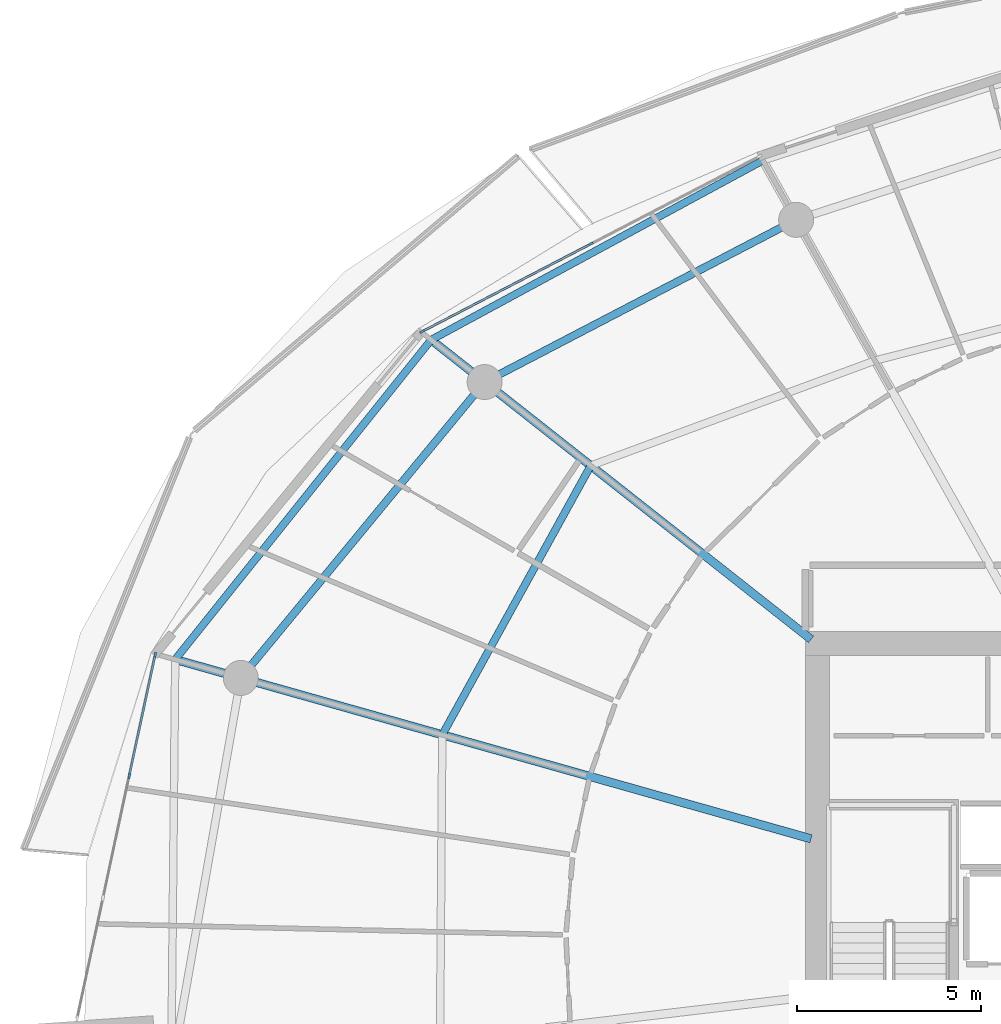
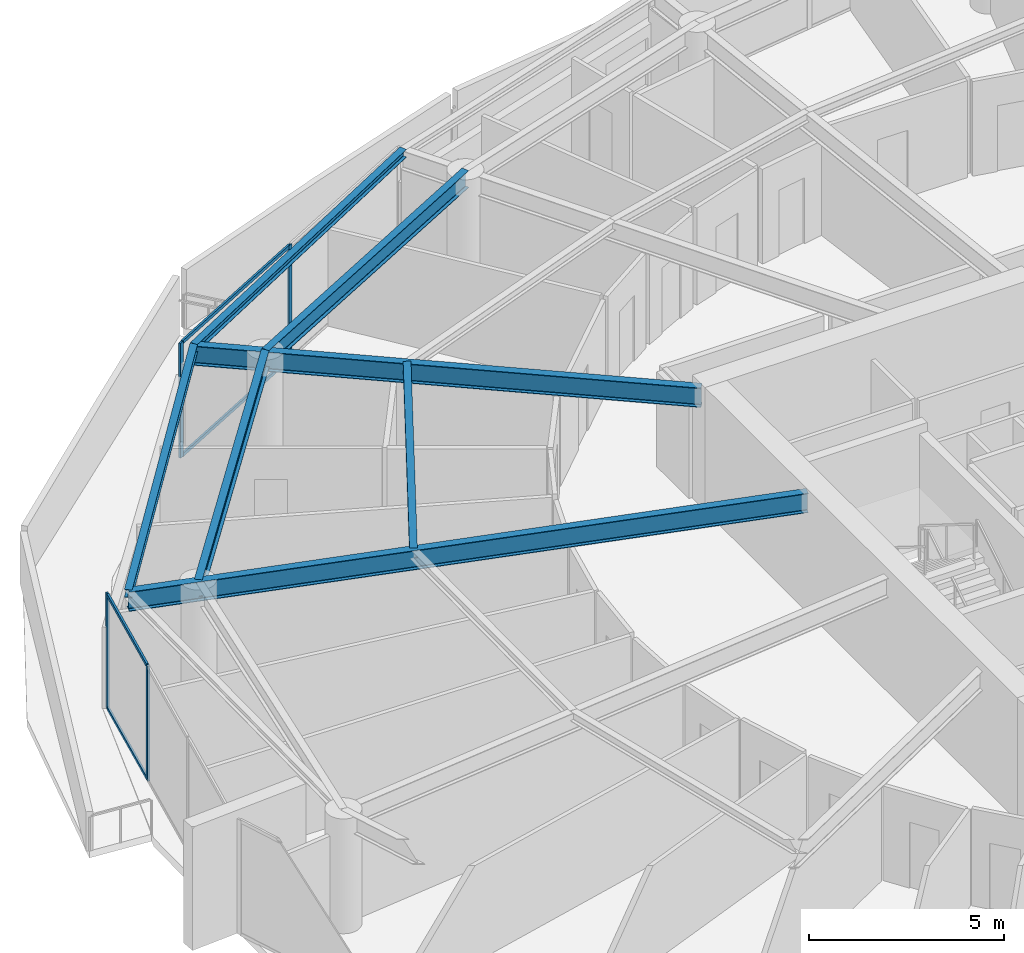
# One storey, part 13 of 31: 8 members, 7 beams, 2 elements without a shape of their own.
"""IFC4 building model written with IfcOpenShell, lengths in metres."""

from ifc_helpers import new_model, si_unit, direction, frame, origin, origin_2d, place, context, subcontext, project, spatial, rectangle, i_section, extrude, material, layer, layer_set, material_profile, profile_set, type_object, element, aggregate, save


model = new_model("IFC4")

# Units and contexts
model_context = context("Model", 3, precision=1e-05, world=origin(), true_north=direction((0.0, 1.0)))
body_context = subcontext(model_context, "Body", "Model", "MODEL_VIEW")
ifc_project = project(units=[si_unit("LENGTHUNIT", "METRE"), si_unit("AREAUNIT", "SQUARE_METRE"), si_unit("VOLUMEUNIT", "CUBIC_METRE"), si_unit("PLANEANGLEUNIT", "RADIAN"), si_unit("MASSUNIT", "GRAM", prefix="KILO")], contexts=[model_context])

# Site, building, storey
site_placement = place(None, origin())
site = spatial("IfcSite", under=ifc_project, at=site_placement, CompositionType="ELEMENT")
building_placement = place(site_placement, origin())
building = spatial("IfcBuilding", under=site, at=building_placement, Name="Kazma Halo Residences", CompositionType="ELEMENT")
storey_placement = place(building_placement, frame((0.0, 0.0, 271.35009765625)))
storey = spatial("IfcBuildingStorey", under=building, at=storey_placement, Name="L68", CompositionType="ELEMENT", Elevation=271.35009765625)

# Beams
ifc_material_1 = material(Name="Steel S355", Category="steel")
ifc_material_profile_1 = material_profile(ifc_material_1, i_section(OverallWidth=0.201904296875, OverallDepth=0.2470703125, WebThickness=0.00732421875, FlangeThickness=0.010986328125, FilletRadius=0.011962890625, at=origin_2d()), Name="W250x49.1")
ifc_profile_set_1 = profile_set([ifc_material_profile_1], Name="Steel S355")
beam_type_1 = type_object("IfcBeamType", Name="BM-BAL-CANT", PredefinedType="BEAM", material=ifc_profile_set_1)
beam_1_placement = place(storey_placement, frame((35.990478515625, 63.444580078125, 3.46630859375), z_axis=(-0.879517282036, -0.475866946321, 0.0), x_axis=(0.475866946321, -0.879517282036, 0.0)))
element("IfcBeam", 1, at=beam_1_placement, inside=storey, type_object=beam_type_1, Name="L68 wave-balcony tie beam 05", PredefinedType="BEAM", context=body_context, shape_type="SweptSolid", body=[
    extrude(i_section(OverallWidth=0.201904296875, OverallDepth=0.2470703125, WebThickness=0.00732421875, FlangeThickness=0.010986328125, FilletRadius=0.011962890625, at=origin_2d()), origin(), (0.0, 0.0, 1.0), 10.243408203125),
])
beam_2_placement = place(storey_placement, frame((26.981201171875, 58.570068359375, 3.46630859375), z_axis=(-0.625117912406, -0.780530329705, 0.0), x_axis=(0.780530329705, -0.625117912406, 0.0)))
element("IfcBeam", 2, at=beam_2_placement, inside=storey, type_object=beam_type_1, Name="L68 wave-balcony tie beam 06", PredefinedType="BEAM", context=body_context, shape_type="SweptSolid", body=[
    extrude(i_section(OverallWidth=0.201904296875, OverallDepth=0.2470703125, WebThickness=0.00732421875, FlangeThickness=0.010986328125, FilletRadius=0.011962890625, at=origin_2d()), origin(), (0.0, 0.0, 1.0), 11.1220703125),
])
ifc_material_profile_2 = material_profile(ifc_material_1, i_section(OverallWidth=0.22802734375, OverallDepth=0.60791015625, WebThickness=0.01123046875, FlangeThickness=0.017333984375, FilletRadius=0.01806640625, at=origin_2d()), Name="W610x113")
ifc_profile_set_2 = profile_set([ifc_material_profile_2], Name="Steel S355")
beam_type_2 = type_object("IfcBeamType", Name="BM-RAD-W610", PredefinedType="BEAM", material=ifc_profile_set_2)
beam_3_placement = place(storey_placement, frame((37.300048828125, 50.435302734375, 3.285888671875), z_axis=(-0.785315374811, 0.61909592317, 0.0), x_axis=(-0.61909592317, -0.785315374811, 0.0)))
element("IfcBeam", 3, at=beam_3_placement, inside=storey, type_object=beam_type_2, Name="L68 radial floor beam 06", PredefinedType="BEAM", context=body_context, shape_type="SweptSolid", body=[
    extrude(i_section(OverallWidth=0.22802734375, OverallDepth=0.60791015625, WebThickness=0.01123046875, FlangeThickness=0.017333984375, FilletRadius=0.01806640625, at=origin_2d()), origin(), (0.0, 0.0, 1.0), 13.1396484375),
])
beam_4_placement = place(storey_placement, frame((37.300048828125, 45.017578125, 3.285888671875), z_axis=(-0.962451225349, 0.271454671766, 0.0), x_axis=(-0.271454671766, -0.962451225349, 0.0)))
element("IfcBeam", 4, at=beam_4_placement, inside=storey, type_object=beam_type_2, Name="L68 radial floor beam 07", PredefinedType="BEAM", context=body_context, shape_type="SweptSolid", body=[
    extrude(i_section(OverallWidth=0.22802734375, OverallDepth=0.60791015625, WebThickness=0.01123046875, FlangeThickness=0.017333984375, FilletRadius=0.01806640625, at=origin_2d()), origin(), (0.0, 0.0, 1.0), 17.9453125),
])
ifc_material_profile_3 = material_profile(ifc_material_1, i_section(OverallWidth=0.202880859375, OverallDepth=0.302978515625, WebThickness=0.007568359375, FlangeThickness=0.01318359375, FilletRadius=0.013916015625, at=origin_2d()), Name="W310x60")
ifc_profile_set_3 = profile_set([ifc_material_profile_3], Name="Steel S355")
beam_type_3 = type_object("IfcBeamType", Name="BM-SEC-W310A", PredefinedType="JOIST", material=ifc_profile_set_3)
beam_5_placement = place(storey_placement, frame((31.31494140625, 55.1533203125, 3.4384765625), z_axis=(-0.483003900912, -0.875618199733, 0.0), x_axis=(0.875618199733, -0.483003900912, 0.0)))
element("IfcBeam", 5, at=beam_5_placement, inside=storey, type_object=beam_type_3, Name="L68 circumferential floor joist 06", PredefinedType="JOIST", context=body_context, shape_type="SweptSolid", body=[
    extrude(i_section(OverallWidth=0.202880859375, OverallDepth=0.302978515625, WebThickness=0.007568359375, FlangeThickness=0.01318359375, FilletRadius=0.013916015625, at=origin_2d()), origin(), (0.0, 0.0, 1.0), 8.3486328125),
])
ifc_material_profile_4 = material_profile(ifc_material_1, i_section(OverallWidth=0.208984375, OverallDepth=0.532958984375, WebThickness=0.01025390625, FlangeThickness=0.015625, FilletRadius=0.01611328125, at=origin_2d()), Name="W530x92")
ifc_profile_set_4 = profile_set([ifc_material_profile_4], Name="Steel S355")
beam_type_4 = type_object("IfcBeamType", Name="BM-SPN-W530", PredefinedType="BEAM", material=ifc_profile_set_4)
beam_6_placement = place(storey_placement, frame((36.89453125, 61.830322265625, 3.323486328125), z_axis=(-0.886961047115, -0.461844238788, 0.0), x_axis=(0.461844238788, -0.886961047115, 0.0)))
element("IfcBeam", 6, at=beam_6_placement, inside=storey, type_object=beam_type_4, Name="L68 perimeter ring beam 05", PredefinedType="BEAM", context=body_context, shape_type="SweptSolid", body=[
    extrude(i_section(OverallWidth=0.208984375, OverallDepth=0.532958984375, WebThickness=0.01025390625, FlangeThickness=0.015625, FilletRadius=0.01611328125, at=origin_2d()), origin(), (0.0, 0.0, 1.0), 9.5390625),
])
beam_7_placement = place(storey_placement, frame((28.433837890625, 57.4248046875, 3.323486328125), z_axis=(-0.636002144225, -0.771687289348, 0.0), x_axis=(0.771687289348, -0.636002144225, 0.0)))
element("IfcBeam", 7, at=beam_7_placement, inside=storey, type_object=beam_type_4, Name="L68 perimeter ring beam 06", PredefinedType="BEAM", context=body_context, shape_type="SweptSolid", body=[
    extrude(i_section(OverallWidth=0.208984375, OverallDepth=0.532958984375, WebThickness=0.01025390625, FlangeThickness=0.015625, FilletRadius=0.01611328125, at=origin_2d()), origin(), (0.0, 0.0, 1.0), 10.416259765625),
])

# Curtain wall, members
ifc_material_2 = material(Name="Aluminium AW-6063 T6 and Triple-Silver Low-E Glass", Category="aluminium")
ifc_layer = layer(ifc_material_2, 0.139892578125)
ifc_layer_set = layer_set([ifc_layer], Name="Aluminium AW-6063 T6 and Triple-Silver Low-E Glass")
curtain_wall_type = type_object("IfcCurtainWallType", Name="CW-SYS-5", PredefinedType="NOTDEFINED", material=ifc_layer_set)
curtain_wall_1_placement = place(storey_placement, origin())
curtain_wall_1 = element("IfcCurtainWall", 8, at=curtain_wall_1_placement, inside=storey, type_object=curtain_wall_type, Name="L68 unitised curtain wall B05", PredefinedType="NOTDEFINED")
ifc_material_3 = material(Name="Aluminium AW-6063 T6", Category="aluminium")
ifc_material_profile_5 = material_profile(ifc_material_3, rectangle(XDim=0.06005859375, YDim=0.139892578125, at=origin_2d()), Name="CWM-60x140")
ifc_profile_set_5 = profile_set([ifc_material_profile_5], Name="Aluminium AW-6063 T6")
member_type_1 = type_object("IfcMemberType", Name="CW-SYS-5-MUL", PredefinedType="MULLION", material=ifc_profile_set_5)
member_1_placement = place(storey_placement, frame((31.31591796875, 61.175537109375, 0.0), z_axis=(0.0, 0.0, 1.0), x_axis=(0.460960760804, -0.887420518694, 0.0)))
member_1 = element("IfcMember", 9, at=member_1_placement, type_object=member_type_1, Name="CWS-5 mullion 2", PredefinedType="MULLION", context=body_context, shape_type="SweptSolid", body=[
    extrude(rectangle(XDim=0.06005859375, YDim=0.139892578125, at=origin_2d()), origin(), (0.0, 0.0, 1.0), 3.58984375),
])
member_2_placement = place(storey_placement, frame((26.737060546875, 58.797119140625, 0.0), z_axis=(0.0, 0.0, 1.0), x_axis=(0.460960760804, -0.887420518694, 0.0)))
member_2 = element("IfcMember", 10, at=member_2_placement, type_object=member_type_1, Name="CWS-5 mullion 3", PredefinedType="MULLION", context=body_context, shape_type="SweptSolid", body=[
    extrude(rectangle(XDim=0.06005859375, YDim=0.139892578125, at=origin_2d()), origin(), (0.0, 0.0, 1.0), 3.58984375),
])

curtain_wall_2_placement = place(storey_placement, origin())
curtain_wall_2 = element("IfcCurtainWall", 11, at=curtain_wall_2_placement, inside=storey, type_object=curtain_wall_type, Name="L68 unitised curtain wall B07", PredefinedType="NOTDEFINED")
member_3_placement = place(storey_placement, frame((19.485107421875, 50.010986328125, 0.0), z_axis=(0.0, 0.0, 1.0), x_axis=(0.97777491373, -0.209657382603, 0.0)))
member_3 = element("IfcMember", 12, at=member_3_placement, type_object=member_type_1, Name="CWS-5 mullion 1", PredefinedType="MULLION", context=body_context, shape_type="SweptSolid", body=[
    extrude(rectangle(XDim=0.06005859375, YDim=0.139892578125, at=origin_2d()), origin(), (0.0, 0.0, 1.0), 3.58984375),
])
member_4_placement = place(storey_placement, frame((18.781005859375, 46.7265625, 0.0), z_axis=(0.0, 0.0, 1.0), x_axis=(0.97777491373, -0.209657382603, 0.0)))
member_4 = element("IfcMember", 13, at=member_4_placement, type_object=member_type_1, Name="CWS-5 mullion 2", PredefinedType="MULLION", context=body_context, shape_type="SweptSolid", body=[
    extrude(rectangle(XDim=0.06005859375, YDim=0.139892578125, at=origin_2d()), origin(), (0.0, 0.0, 1.0), 3.58984375),
])

# Member
ifc_material_profile_6 = material_profile(ifc_material_3, rectangle(XDim=0.06005859375, YDim=0.10498046875, at=origin_2d()), Name="CWT-60x105")
ifc_profile_set_6 = profile_set([ifc_material_profile_6], Name="Aluminium AW-6063 T6")
member_type_2 = type_object("IfcMemberType", Name="CW-SYS-5-TRN", PredefinedType="USERDEFINED", material=ifc_profile_set_6)
member_5_placement = place(storey_placement, frame((31.289306640625, 61.16162109375, 0.02978515625), z_axis=(-0.887436955863, -0.46092911534, 0.0), x_axis=(0.46092911534, -0.887436955863, 0.0)))
member_5 = element("IfcMember", 14, at=member_5_placement, type_object=member_type_2, Name="CWS-5 transom 2.1", ObjectType="TRANSOM", PredefinedType="USERDEFINED", context=body_context, shape_type="SweptSolid", body=[
    extrude(rectangle(XDim=0.06005859375, YDim=0.10498046875, at=origin_2d()), origin(), (0.0, 0.0, 1.0), 5.099609375),
])

member_6_placement = place(storey_placement, frame((31.289306640625, 61.16162109375, 3.559814453125), z_axis=(-0.887436955863, -0.46092911534, 0.0), x_axis=(0.46092911534, -0.887436955863, 0.0)))
member_6 = element("IfcMember", 15, at=member_6_placement, type_object=member_type_2, Name="CWS-5 transom 2.2", ObjectType="TRANSOM", PredefinedType="USERDEFINED", context=body_context, shape_type="SweptSolid", body=[
    extrude(rectangle(XDim=0.06005859375, YDim=0.10498046875, at=origin_2d()), origin(), (0.0, 0.0, 1.0), 5.099609375),
])

aggregate(curtain_wall_1, [member_1, member_2, member_5, member_6])

member_7_placement = place(storey_placement, frame((19.47900390625, 49.9814453125, 0.02978515625), z_axis=(-0.209660493552, -0.977774246666, 0.0), x_axis=(0.977774246666, -0.209660493552, 0.0)))
member_7 = element("IfcMember", 16, at=member_7_placement, type_object=member_type_2, Name="CWS-5 transom 1.1", ObjectType="TRANSOM", PredefinedType="USERDEFINED", context=body_context, shape_type="SweptSolid", body=[
    extrude(rectangle(XDim=0.06005859375, YDim=0.10498046875, at=origin_2d()), origin(), (0.0, 0.0, 1.0), 3.298828125),
])

member_8_placement = place(storey_placement, frame((19.47900390625, 49.9814453125, 3.559814453125), z_axis=(-0.209660493552, -0.977774246666, 0.0), x_axis=(0.977774246666, -0.209660493552, 0.0)))
member_8 = element("IfcMember", 17, at=member_8_placement, type_object=member_type_2, Name="CWS-5 transom 1.2", ObjectType="TRANSOM", PredefinedType="USERDEFINED", context=body_context, shape_type="SweptSolid", body=[
    extrude(rectangle(XDim=0.06005859375, YDim=0.10498046875, at=origin_2d()), origin(), (0.0, 0.0, 1.0), 3.298828125),
])

aggregate(curtain_wall_2, [member_3, member_4, member_7, member_8])

save(model, "model.ifc")
